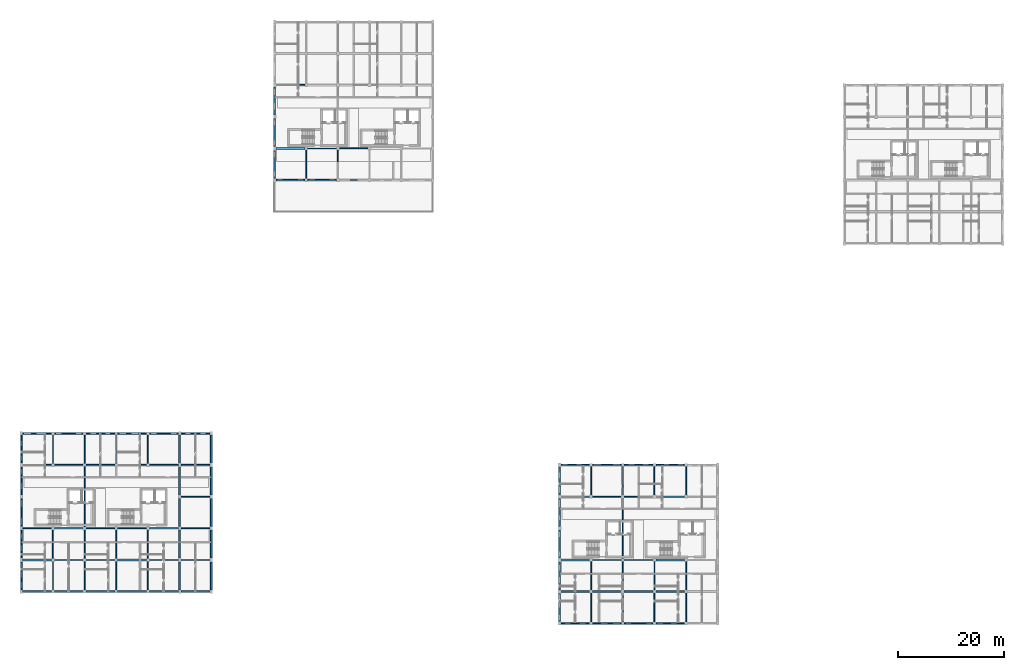
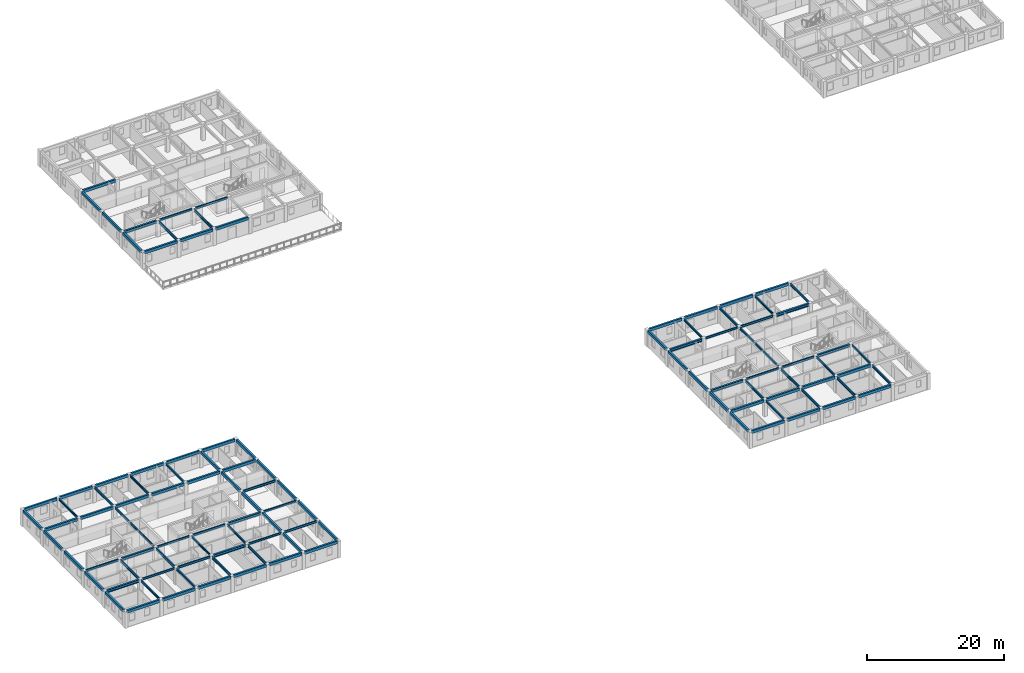
# One storey, part 3 of 28: 109 beams.
"""IFC4 building model written with IfcOpenShell, lengths in metres."""

from ifc_helpers import new_model, si_unit, direction, frame, origin, origin_2d, place, context, subcontext, project, spatial, rectangle, i_section, extrude, material, material_profile, profile_set, type_object, element, save


model = new_model("IFC4")

# Units and contexts
model_context = context("Model", 3, precision=1e-05, world=origin(), true_north=direction((0.0, 1.0)))
body_context = subcontext(model_context, "Body", "Model", "MODEL_VIEW")
ifc_project = project(units=[si_unit("LENGTHUNIT", "METRE"), si_unit("AREAUNIT", "SQUARE_METRE"), si_unit("VOLUMEUNIT", "CUBIC_METRE"), si_unit("PLANEANGLEUNIT", "RADIAN"), si_unit("MASSUNIT", "GRAM", prefix="KILO"), si_unit("POWERUNIT", "WATT"), si_unit("THERMODYNAMICTEMPERATUREUNIT", "KELVIN")], contexts=[model_context])

# Site, building, storey
site_placement = place(None, origin())
site = spatial("IfcSite", under=ifc_project, at=site_placement, CompositionType="ELEMENT")
building_placement = place(site_placement, origin())
building = spatial("IfcBuilding", under=site, at=building_placement, Name="Ruvembo Vaulted Housing Court", CompositionType="ELEMENT")
storey_placement = place(building_placement, frame((0.0, 0.0, 23.699951171875)))
storey = spatial("IfcBuildingStorey", under=building, at=storey_placement, Name="L07", CompositionType="ELEMENT", Elevation=23.699951171875)

# Beams
ifc_material_1 = material(Name="Steel S355J2", Category="steel")
ifc_material_profile_1 = material_profile(ifc_material_1, i_section(OverallWidth=0.300048828125, OverallDepth=0.5, WebThickness=0.014404296875, FlangeThickness=0.028076171875, FilletRadius=0.027099609375, at=origin_2d()), Name="HEB 320")
ifc_profile_set_1 = profile_set([ifc_material_profile_1], Name="Steel S355J2")
beam_type_1 = type_object("IfcBeamType", Name="BM-ST-HEB320", PredefinedType="BEAM", material=ifc_profile_set_1)
beam_1_placement = place(storey_placement, frame((0.235107421875, 12.0, 2.676025390625), z_axis=(1.0, 0.0, 0.0), x_axis=(0.0, 1.0, 0.0)))
element("IfcBeam", 1, at=beam_1_placement, inside=storey, type_object=beam_type_1, Name="L07 Grid Beam X #2792", PredefinedType="BEAM", context=body_context, shape_type="SweptSolid", body=[
    extrude(i_section(OverallWidth=0.300048828125, OverallDepth=0.5, WebThickness=0.014404296875, FlangeThickness=0.028076171875, FilletRadius=0.027099609375, at=origin_2d()), origin(), (0.0, 0.0, 1.0), 5.5048828125),
])
beam_2_placement = place(storey_placement, frame((18.260009765625, 12.0, 2.676025390625), z_axis=(1.0, 0.0, 0.0), x_axis=(0.0, 1.0, 0.0)))
element("IfcBeam", 2, at=beam_2_placement, inside=storey, type_object=beam_type_1, Name="L07 Grid Beam X #2795", PredefinedType="BEAM", context=body_context, shape_type="SweptSolid", body=[
    extrude(i_section(OverallWidth=0.300048828125, OverallDepth=0.5, WebThickness=0.014404296875, FlangeThickness=0.028076171875, FilletRadius=0.027099609375, at=origin_2d()), origin(), (0.0, 0.0, 1.0), 5.47998046875),
])
beam_3_placement = place(storey_placement, frame((102.235107421875, 12.0, 2.676025390625), z_axis=(1.0, 0.0, 0.0), x_axis=(0.0, 1.0, 0.0)))
element("IfcBeam", 3, at=beam_3_placement, inside=storey, type_object=beam_type_1, Name="L07 Grid Beam X #2798", PredefinedType="BEAM", context=body_context, shape_type="SweptSolid", body=[
    extrude(i_section(OverallWidth=0.300048828125, OverallDepth=0.5, WebThickness=0.014404296875, FlangeThickness=0.028076171875, FilletRadius=0.027099609375, at=origin_2d()), origin(), (0.0, 0.0, 1.0), 5.5048828125),
])
for number, where, z_axis, x_axis, name in (
    (4, (120.260009765625, 12.0, 2.676025390625), (1.0, 0.0, 0.0), (0.0, 1.0, 0.0), "L07 Grid Beam X #2801"),
    (5, (6.260009765625, 18.0, 2.676025390625), (1.0, 0.0, 0.0), (0.0, 1.0, 0.0), "L07 Grid Beam X #2804"),
):
    element("IfcBeam", number, at=place(storey_placement, frame(where, z_axis=z_axis, x_axis=x_axis)), inside=storey, type_object=beam_type_1, Name=name, PredefinedType="BEAM", context=body_context, shape_type="SweptSolid", body=[
        extrude(i_section(OverallWidth=0.300048828125, OverallDepth=0.5, WebThickness=0.014404296875, FlangeThickness=0.028076171875, FilletRadius=0.027099609375, at=origin_2d()), origin(), (0.0, 0.0, 1.0), 5.47998046875),
    ])
for number, where, z_axis, x_axis, name in (
    (6, (24.260009765625, 18.0, 2.676025390625), (1.0, 0.0, 0.0), (0.0, 1.0, 0.0), "L07 Grid Beam X #2807"),
    (7, (102.235107421875, 24.0, 2.676025390625), (1.0, 0.0, 0.0), (0.0, 1.0, 0.0), "L07 Grid Beam X #2810"),
):
    element("IfcBeam", number, at=place(storey_placement, frame(where, z_axis=z_axis, x_axis=x_axis)), inside=storey, type_object=beam_type_1, Name=name, PredefinedType="BEAM", context=body_context, shape_type="SweptSolid", body=[
        extrude(i_section(OverallWidth=0.300048828125, OverallDepth=0.5, WebThickness=0.014404296875, FlangeThickness=0.028076171875, FilletRadius=0.027099609375, at=origin_2d()), origin(), (0.0, 0.0, 1.0), 5.5048828125),
    ])
beam_4_placement = place(storey_placement, frame((120.260009765625, 24.0, 2.676025390625), z_axis=(1.0, 0.0, 0.0), x_axis=(0.0, 1.0, 0.0)))
element("IfcBeam", 8, at=beam_4_placement, inside=storey, type_object=beam_type_1, Name="L07 Grid Beam X #2813", PredefinedType="BEAM", context=body_context, shape_type="SweptSolid", body=[
    extrude(i_section(OverallWidth=0.300048828125, OverallDepth=0.5, WebThickness=0.014404296875, FlangeThickness=0.028076171875, FilletRadius=0.027099609375, at=origin_2d()), origin(), (0.0, 0.0, 1.0), 5.47998046875),
])
beam_5_placement = place(storey_placement, frame((48.235107421875, 90.0, 2.676025390625), z_axis=(1.0, 0.0, 0.0), x_axis=(0.0, 1.0, 0.0)))
element("IfcBeam", 9, at=beam_5_placement, inside=storey, type_object=beam_type_1, Name="L07 Grid Beam X #2852", PredefinedType="BEAM", context=body_context, shape_type="SweptSolid", body=[
    extrude(i_section(OverallWidth=0.300048828125, OverallDepth=0.5, WebThickness=0.014404296875, FlangeThickness=0.028076171875, FilletRadius=0.027099609375, at=origin_2d()), origin(), (0.0, 0.0, 1.0), 5.5048828125),
])
ifc_material_profile_2 = material_profile(ifc_material_1, i_section(OverallWidth=0.169921875, OverallDepth=0.360107421875, WebThickness=0.008056640625, FlangeThickness=0.0126953125, FilletRadius=0.01806640625, at=origin_2d()), Name="IPE 360")
ifc_profile_set_2 = profile_set([ifc_material_profile_2], Name="Steel S355J2")
beam_type_2 = type_object("IfcBeamType", Name="BM-ST-IPE360", PredefinedType="BEAM", material=ifc_profile_set_2)
beam_6_placement = place(storey_placement, frame((6.260009765625, 12.0, 2.74609375), z_axis=(1.0, 0.0, 0.0), x_axis=(0.0, 1.0, 0.0)))
element("IfcBeam", 10, at=beam_6_placement, inside=storey, type_object=beam_type_2, Name="L07 Grid Beam X #2793", PredefinedType="BEAM", context=body_context, shape_type="SweptSolid", body=[
    extrude(i_section(OverallWidth=0.169921875, OverallDepth=0.360107421875, WebThickness=0.008056640625, FlangeThickness=0.0126953125, FilletRadius=0.01806640625, at=origin_2d()), origin(), (0.0, 0.0, 1.0), 5.47998046875),
])
beam_7_placement = place(storey_placement, frame((24.260009765625, 12.0, 2.74609375), z_axis=(1.0, 0.0, 0.0), x_axis=(0.0, 1.0, 0.0)))
element("IfcBeam", 11, at=beam_7_placement, inside=storey, type_object=beam_type_2, Name="L07 Grid Beam X #2796", PredefinedType="BEAM", context=body_context, shape_type="SweptSolid", body=[
    extrude(i_section(OverallWidth=0.169921875, OverallDepth=0.360107421875, WebThickness=0.008056640625, FlangeThickness=0.0126953125, FilletRadius=0.01806640625, at=origin_2d()), origin(), (0.0, 0.0, 1.0), 5.5048828125),
])
for number, where, z_axis, x_axis, name in (
    (12, (108.260009765625, 12.0, 2.74609375), (1.0, 0.0, 0.0), (0.0, 1.0, 0.0), "L07 Grid Beam X #2799"),
    (13, (12.260009765625, 18.0, 2.74609375), (1.0, 0.0, 0.0), (0.0, 1.0, 0.0), "L07 Grid Beam X #2805"),
):
    element("IfcBeam", number, at=place(storey_placement, frame(where, z_axis=z_axis, x_axis=x_axis)), inside=storey, type_object=beam_type_2, Name=name, PredefinedType="BEAM", context=body_context, shape_type="SweptSolid", body=[
        extrude(i_section(OverallWidth=0.169921875, OverallDepth=0.360107421875, WebThickness=0.008056640625, FlangeThickness=0.0126953125, FilletRadius=0.01806640625, at=origin_2d()), origin(), (0.0, 0.0, 1.0), 5.47998046875),
    ])
beam_8_placement = place(storey_placement, frame((30.235107421875, 18.0, 2.74609375), z_axis=(1.0, 0.0, 0.0), x_axis=(0.0, 1.0, 0.0)))
element("IfcBeam", 14, at=beam_8_placement, inside=storey, type_object=beam_type_2, Name="L07 Grid Beam X #2808", PredefinedType="BEAM", context=body_context, shape_type="SweptSolid", body=[
    extrude(i_section(OverallWidth=0.169921875, OverallDepth=0.360107421875, WebThickness=0.008056640625, FlangeThickness=0.0126953125, FilletRadius=0.01806640625, at=origin_2d()), origin(), (0.0, 0.0, 1.0), 5.52978515625),
])
for number, where, z_axis, x_axis, name in (
    (15, (108.260009765625, 24.0, 2.74609375), (1.0, 0.0, 0.0), (0.0, 1.0, 0.0), "L07 Grid Beam X #2811"),
    (16, (54.260009765625, 90.0, 2.74609375), (1.0, 0.0, 0.0), (0.0, 1.0, 0.0), "L07 Grid Beam X #2853"),
    (17, (6.0, 30.260009765625, 2.74609375), (0.0, 1.0, 0.0), (-1.0, 0.0, 0.0), "L07 Grid Beam Y #2889"),
    (18, (18.0, 12.260009765625, 2.74609375), (0.0, 1.0, 0.0), (-1.0, 0.0, 0.0), "L07 Grid Beam Y #2895"),
    (19, (24.0, 12.260009765625, 2.74609375), (0.0, 1.0, 0.0), (-1.0, 0.0, 0.0), "L07 Grid Beam Y #2898"),
    (20, (108.0, 24.260009765625, 2.74609375), (0.0, 1.0, 0.0), (-1.0, 0.0, 0.0), "L07 Grid Beam Y #2940"),
    (21, (120.0, 6.260009765625, 2.74609375), (0.0, 1.0, 0.0), (-1.0, 0.0, 0.0), "L07 Grid Beam Y #2946"),
    (22, (126.0, 6.260009765625, 2.74609375), (0.0, 1.0, 0.0), (-1.0, 0.0, 0.0), "L07 Grid Beam Y #2949"),
):
    element("IfcBeam", number, at=place(storey_placement, frame(where, z_axis=z_axis, x_axis=x_axis)), inside=storey, type_object=beam_type_2, Name=name, PredefinedType="BEAM", context=body_context, shape_type="SweptSolid", body=[
        extrude(i_section(OverallWidth=0.169921875, OverallDepth=0.360107421875, WebThickness=0.008056640625, FlangeThickness=0.0126953125, FilletRadius=0.01806640625, at=origin_2d()), origin(), (0.0, 0.0, 1.0), 5.47998046875),
    ])
ifc_material_profile_3 = material_profile(ifc_material_1, i_section(OverallWidth=0.179931640625, OverallDepth=0.39990234375, WebThickness=0.008544921875, FlangeThickness=0.013427734375, FilletRadius=0.02099609375, at=origin_2d()), Name="IPE 400")
ifc_profile_set_3 = profile_set([ifc_material_profile_3], Name="Steel S355J2")
beam_type_3 = type_object("IfcBeamType", Name="BM-ST-IPE400", PredefinedType="BEAM", material=ifc_profile_set_3)
beam_9_placement = place(storey_placement, frame((12.260009765625, 12.0, 2.72607421875), z_axis=(1.0, 0.0, 0.0), x_axis=(0.0, 1.0, 0.0)))
element("IfcBeam", 23, at=beam_9_placement, inside=storey, type_object=beam_type_3, Name="L07 Grid Beam X #2794", PredefinedType="BEAM", context=body_context, shape_type="SweptSolid", body=[
    extrude(i_section(OverallWidth=0.179931640625, OverallDepth=0.39990234375, WebThickness=0.008544921875, FlangeThickness=0.013427734375, FilletRadius=0.02099609375, at=origin_2d()), origin(), (0.0, 0.0, 1.0), 5.47998046875),
])
beam_10_placement = place(storey_placement, frame((30.235107421875, 12.0, 2.72607421875), z_axis=(1.0, 0.0, 0.0), x_axis=(0.0, 1.0, 0.0)))
element("IfcBeam", 24, at=beam_10_placement, inside=storey, type_object=beam_type_3, Name="L07 Grid Beam X #2797", PredefinedType="BEAM", context=body_context, shape_type="SweptSolid", body=[
    extrude(i_section(OverallWidth=0.179931640625, OverallDepth=0.39990234375, WebThickness=0.008544921875, FlangeThickness=0.013427734375, FilletRadius=0.02099609375, at=origin_2d()), origin(), (0.0, 0.0, 1.0), 5.52978515625),
])
beam_11_placement = place(storey_placement, frame((114.260009765625, 12.0, 2.72607421875), z_axis=(1.0, 0.0, 0.0), x_axis=(0.0, 1.0, 0.0)))
element("IfcBeam", 25, at=beam_11_placement, inside=storey, type_object=beam_type_3, Name="L07 Grid Beam X #2800", PredefinedType="BEAM", context=body_context, shape_type="SweptSolid", body=[
    extrude(i_section(OverallWidth=0.179931640625, OverallDepth=0.39990234375, WebThickness=0.008544921875, FlangeThickness=0.013427734375, FilletRadius=0.02099609375, at=origin_2d()), origin(), (0.0, 0.0, 1.0), 5.47998046875),
])
beam_12_placement = place(storey_placement, frame((0.235107421875, 18.0, 2.72607421875), z_axis=(1.0, 0.0, 0.0), x_axis=(0.0, 1.0, 0.0)))
element("IfcBeam", 26, at=beam_12_placement, inside=storey, type_object=beam_type_3, Name="L07 Grid Beam X #2803", PredefinedType="BEAM", context=body_context, shape_type="SweptSolid", body=[
    extrude(i_section(OverallWidth=0.179931640625, OverallDepth=0.39990234375, WebThickness=0.008544921875, FlangeThickness=0.013427734375, FilletRadius=0.02099609375, at=origin_2d()), origin(), (0.0, 0.0, 1.0), 5.5048828125),
])
beam_13_placement = place(storey_placement, frame((18.260009765625, 18.0, 2.72607421875), z_axis=(1.0, 0.0, 0.0), x_axis=(0.0, 1.0, 0.0)))
element("IfcBeam", 27, at=beam_13_placement, inside=storey, type_object=beam_type_3, Name="L07 Grid Beam X #2806", PredefinedType="BEAM", context=body_context, shape_type="SweptSolid", body=[
    extrude(i_section(OverallWidth=0.179931640625, OverallDepth=0.39990234375, WebThickness=0.008544921875, FlangeThickness=0.013427734375, FilletRadius=0.02099609375, at=origin_2d()), origin(), (0.0, 0.0, 1.0), 5.47998046875),
])
beam_14_placement = place(storey_placement, frame((30.235107421875, 24.0, 2.72607421875), z_axis=(1.0, 0.0, 0.0), x_axis=(0.0, 1.0, 0.0)))
element("IfcBeam", 28, at=beam_14_placement, inside=storey, type_object=beam_type_3, Name="L07 Grid Beam X #2809", PredefinedType="BEAM", context=body_context, shape_type="SweptSolid", body=[
    extrude(i_section(OverallWidth=0.179931640625, OverallDepth=0.39990234375, WebThickness=0.008544921875, FlangeThickness=0.013427734375, FilletRadius=0.02099609375, at=origin_2d()), origin(), (0.0, 0.0, 1.0), 5.52978515625),
])
for number, where, z_axis, x_axis, name in (
    (29, (114.260009765625, 24.0, 2.72607421875), (1.0, 0.0, 0.0), (0.0, 1.0, 0.0), "L07 Grid Beam X #2812"),
    (30, (60.260009765625, 90.0, 2.72607421875), (1.0, 0.0, 0.0), (0.0, 1.0, 0.0), "L07 Grid Beam X #2854"),
    (31, (6.0, 6.260009765625, 2.72607421875), (0.0, 1.0, 0.0), (-1.0, 0.0, 0.0), "L07 Grid Beam Y #2887"),
    (32, (12.0, 6.260009765625, 2.72607421875), (0.0, 1.0, 0.0), (-1.0, 0.0, 0.0), "L07 Grid Beam Y #2890"),
):
    element("IfcBeam", number, at=place(storey_placement, frame(where, z_axis=z_axis, x_axis=x_axis)), inside=storey, type_object=beam_type_3, Name=name, PredefinedType="BEAM", context=body_context, shape_type="SweptSolid", body=[
        extrude(i_section(OverallWidth=0.179931640625, OverallDepth=0.39990234375, WebThickness=0.008544921875, FlangeThickness=0.013427734375, FilletRadius=0.02099609375, at=origin_2d()), origin(), (0.0, 0.0, 1.0), 5.47998046875),
    ])
beam_15_placement = place(storey_placement, frame((12.0, 18.260009765625, 2.72607421875), z_axis=(0.0, 1.0, 0.0), x_axis=(-1.0, 0.0, 0.0)))
element("IfcBeam", 33, at=beam_15_placement, inside=storey, type_object=beam_type_3, Name="L07 Grid Beam Y #2892", PredefinedType="BEAM", context=body_context, shape_type="SweptSolid", body=[
    extrude(i_section(OverallWidth=0.179931640625, OverallDepth=0.39990234375, WebThickness=0.008544921875, FlangeThickness=0.013427734375, FilletRadius=0.02099609375, at=origin_2d()), origin(), (0.0, 0.0, 1.0), 11.47998046875),
])
for number, where, z_axis, x_axis, name in (
    (34, (12.0, 30.260009765625, 2.72607421875), (0.0, 1.0, 0.0), (-1.0, 0.0, 0.0), "L07 Grid Beam Y #2893"),
    (35, (18.0, 30.260009765625, 2.72607421875), (0.0, 1.0, 0.0), (-1.0, 0.0, 0.0), "L07 Grid Beam Y #2896"),
    (36, (24.0, 30.260009765625, 2.72607421875), (0.0, 1.0, 0.0), (-1.0, 0.0, 0.0), "L07 Grid Beam Y #2899"),
    (37, (108.0, 0.260009765625, 2.72607421875), (0.0, 1.0, 0.0), (-1.0, 0.0, 0.0), "L07 Grid Beam Y #2938"),
    (38, (114.0, 0.260009765625, 2.72607421875), (0.0, 1.0, 0.0), (-1.0, 0.0, 0.0), "L07 Grid Beam Y #2941"),
):
    element("IfcBeam", number, at=place(storey_placement, frame(where, z_axis=z_axis, x_axis=x_axis)), inside=storey, type_object=beam_type_3, Name=name, PredefinedType="BEAM", context=body_context, shape_type="SweptSolid", body=[
        extrude(i_section(OverallWidth=0.179931640625, OverallDepth=0.39990234375, WebThickness=0.008544921875, FlangeThickness=0.013427734375, FilletRadius=0.02099609375, at=origin_2d()), origin(), (0.0, 0.0, 1.0), 5.47998046875),
    ])
beam_16_placement = place(storey_placement, frame((114.0, 12.260009765625, 2.72607421875), z_axis=(0.0, 1.0, 0.0), x_axis=(-1.0, 0.0, 0.0)))
element("IfcBeam", 39, at=beam_16_placement, inside=storey, type_object=beam_type_3, Name="L07 Grid Beam Y #2943", PredefinedType="BEAM", context=body_context, shape_type="SweptSolid", body=[
    extrude(i_section(OverallWidth=0.179931640625, OverallDepth=0.39990234375, WebThickness=0.008544921875, FlangeThickness=0.013427734375, FilletRadius=0.02099609375, at=origin_2d()), origin(), (0.0, 0.0, 1.0), 11.47998046875),
])
for number, where, z_axis, x_axis, name in (
    (40, (114.0, 24.260009765625, 2.72607421875), (0.0, 1.0, 0.0), (-1.0, 0.0, 0.0), "L07 Grid Beam Y #2944"),
    (41, (120.0, 24.260009765625, 2.72607421875), (0.0, 1.0, 0.0), (-1.0, 0.0, 0.0), "L07 Grid Beam Y #2947"),
    (42, (126.0, 24.260009765625, 2.72607421875), (0.0, 1.0, 0.0), (-1.0, 0.0, 0.0), "L07 Grid Beam Y #2950"),
):
    element("IfcBeam", number, at=place(storey_placement, frame(where, z_axis=z_axis, x_axis=x_axis)), inside=storey, type_object=beam_type_3, Name=name, PredefinedType="BEAM", context=body_context, shape_type="SweptSolid", body=[
        extrude(i_section(OverallWidth=0.179931640625, OverallDepth=0.39990234375, WebThickness=0.008544921875, FlangeThickness=0.013427734375, FilletRadius=0.02099609375, at=origin_2d()), origin(), (0.0, 0.0, 1.0), 5.47998046875),
    ])
ifc_material_profile_4 = material_profile(ifc_material_1, i_section(OverallWidth=0.18994140625, OverallDepth=0.449951171875, WebThickness=0.009521484375, FlangeThickness=0.0146484375, FilletRadius=0.02099609375, at=origin_2d()), Name="IPE 450")
ifc_profile_set_4 = profile_set([ifc_material_profile_4], Name="Steel S355J2")
beam_type_4 = type_object("IfcBeamType", Name="BM-ST-IPE450", PredefinedType="BEAM", material=ifc_profile_set_4)
for number, where, z_axis, x_axis, name in (
    (43, (6.0, 12.260009765625, 2.700927734375), (0.0, 1.0, 0.0), (-1.0, 0.0, 0.0), "L07 Grid Beam Y #2888"),
    (44, (12.0, 12.260009765625, 2.700927734375), (0.0, 1.0, 0.0), (-1.0, 0.0, 0.0), "L07 Grid Beam Y #2891"),
    (45, (18.0, 6.260009765625, 2.700927734375), (0.0, 1.0, 0.0), (-1.0, 0.0, 0.0), "L07 Grid Beam Y #2894"),
    (46, (24.0, 6.260009765625, 2.700927734375), (0.0, 1.0, 0.0), (-1.0, 0.0, 0.0), "L07 Grid Beam Y #2897"),
    (47, (54.0, 84.260009765625, 2.700927734375), (0.0, 1.0, 0.0), (-1.0, 0.0, 0.0), "L07 Grid Beam Y #2915"),
    (48, (60.0, 84.260009765625, 2.700927734375), (0.0, 1.0, 0.0), (-1.0, 0.0, 0.0), "L07 Grid Beam Y #2918"),
    (49, (108.0, 6.260009765625, 2.700927734375), (0.0, 1.0, 0.0), (-1.0, 0.0, 0.0), "L07 Grid Beam Y #2939"),
    (50, (114.0, 6.260009765625, 2.700927734375), (0.0, 1.0, 0.0), (-1.0, 0.0, 0.0), "L07 Grid Beam Y #2942"),
    (51, (120.0, 0.260009765625, 2.700927734375), (0.0, 1.0, 0.0), (-1.0, 0.0, 0.0), "L07 Grid Beam Y #2945"),
    (52, (126.0, 0.260009765625, 2.700927734375), (0.0, 1.0, 0.0), (-1.0, 0.0, 0.0), "L07 Grid Beam Y #2948"),
):
    element("IfcBeam", number, at=place(storey_placement, frame(where, z_axis=z_axis, x_axis=x_axis)), inside=storey, type_object=beam_type_4, Name=name, PredefinedType="BEAM", context=body_context, shape_type="SweptSolid", body=[
        extrude(i_section(OverallWidth=0.18994140625, OverallDepth=0.449951171875, WebThickness=0.009521484375, FlangeThickness=0.0146484375, FilletRadius=0.02099609375, at=origin_2d()), origin(), (0.0, 0.0, 1.0), 5.47998046875),
    ])
ifc_material_2 = material(Name="Concrete C35/45", Category="concrete")
ifc_material_profile_5 = material_profile(ifc_material_2, rectangle(XDim=0.300048828125, YDim=0.5, at=origin_2d()), Name="RC 300x500")
ifc_profile_set_5 = profile_set([ifc_material_profile_5], Name="Concrete C35/45")
beam_type_5 = type_object("IfcBeamType", Name="SP-RC-300x500", PredefinedType="SPANDREL", material=ifc_profile_set_5)
beam_17_placement = place(storey_placement, frame((102.235107421875, 0.0, 2.72509765625), z_axis=(1.0, 0.0, 0.0), x_axis=(0.0, 1.0, 0.0)))
element("IfcBeam", 53, at=beam_17_placement, inside=storey, type_object=beam_type_5, Name="L07 Grid Beam X #2776", PredefinedType="SPANDREL", context=body_context, shape_type="SweptSolid", body=[
    extrude(rectangle(XDim=0.300048828125, YDim=0.5, at=origin_2d()), origin(), (0.0, 0.0, 1.0), 5.5048828125),
])
for number, where, z_axis, x_axis, name in (
    (54, (108.260009765625, 0.0, 2.72509765625), (1.0, 0.0, 0.0), (0.0, 1.0, 0.0), "L07 Grid Beam X #2777"),
    (55, (114.260009765625, 0.0, 2.72509765625), (1.0, 0.0, 0.0), (0.0, 1.0, 0.0), "L07 Grid Beam X #2778"),
    (56, (120.260009765625, 0.0, 2.72509765625), (1.0, 0.0, 0.0), (0.0, 1.0, 0.0), "L07 Grid Beam X #2779"),
):
    element("IfcBeam", number, at=place(storey_placement, frame(where, z_axis=z_axis, x_axis=x_axis)), inside=storey, type_object=beam_type_5, Name=name, PredefinedType="SPANDREL", context=body_context, shape_type="SweptSolid", body=[
        extrude(rectangle(XDim=0.300048828125, YDim=0.5, at=origin_2d()), origin(), (0.0, 0.0, 1.0), 5.47998046875),
    ])
beam_18_placement = place(storey_placement, frame((0.235107421875, 6.0, 2.72509765625), z_axis=(1.0, 0.0, 0.0), x_axis=(0.0, 1.0, 0.0)))
element("IfcBeam", 57, at=beam_18_placement, inside=storey, type_object=beam_type_5, Name="L07 Grid Beam X #2781", PredefinedType="SPANDREL", context=body_context, shape_type="SweptSolid", body=[
    extrude(rectangle(XDim=0.300048828125, YDim=0.5, at=origin_2d()), origin(), (0.0, 0.0, 1.0), 5.5048828125),
])
for number, where, z_axis, x_axis, name in (
    (58, (6.260009765625, 6.0, 2.72509765625), (1.0, 0.0, 0.0), (0.0, 1.0, 0.0), "L07 Grid Beam X #2782"),
    (59, (12.260009765625, 6.0, 2.72509765625), (1.0, 0.0, 0.0), (0.0, 1.0, 0.0), "L07 Grid Beam X #2783"),
    (60, (18.260009765625, 6.0, 2.72509765625), (1.0, 0.0, 0.0), (0.0, 1.0, 0.0), "L07 Grid Beam X #2784"),
):
    element("IfcBeam", number, at=place(storey_placement, frame(where, z_axis=z_axis, x_axis=x_axis)), inside=storey, type_object=beam_type_5, Name=name, PredefinedType="SPANDREL", context=body_context, shape_type="SweptSolid", body=[
        extrude(rectangle(XDim=0.300048828125, YDim=0.5, at=origin_2d()), origin(), (0.0, 0.0, 1.0), 5.47998046875),
    ])
beam_19_placement = place(storey_placement, frame((24.260009765625, 6.0, 2.72509765625), z_axis=(1.0, 0.0, 0.0), x_axis=(0.0, 1.0, 0.0)))
element("IfcBeam", 61, at=beam_19_placement, inside=storey, type_object=beam_type_5, Name="L07 Grid Beam X #2785", PredefinedType="SPANDREL", context=body_context, shape_type="SweptSolid", body=[
    extrude(rectangle(XDim=0.300048828125, YDim=0.5, at=origin_2d()), origin(), (0.0, 0.0, 1.0), 5.5048828125),
])
beam_20_placement = place(storey_placement, frame((30.235107421875, 6.0, 2.72509765625), z_axis=(1.0, 0.0, 0.0), x_axis=(0.0, 1.0, 0.0)))
element("IfcBeam", 62, at=beam_20_placement, inside=storey, type_object=beam_type_5, Name="L07 Grid Beam X #2786", PredefinedType="SPANDREL", context=body_context, shape_type="SweptSolid", body=[
    extrude(rectangle(XDim=0.300048828125, YDim=0.5, at=origin_2d()), origin(), (0.0, 0.0, 1.0), 5.52978515625),
])
beam_21_placement = place(storey_placement, frame((102.235107421875, 6.0, 2.72509765625), z_axis=(1.0, 0.0, 0.0), x_axis=(0.0, 1.0, 0.0)))
element("IfcBeam", 63, at=beam_21_placement, inside=storey, type_object=beam_type_5, Name="L07 Grid Beam X #2787", PredefinedType="SPANDREL", context=body_context, shape_type="SweptSolid", body=[
    extrude(rectangle(XDim=0.300048828125, YDim=0.5, at=origin_2d()), origin(), (0.0, 0.0, 1.0), 5.5048828125),
])
for number, where, z_axis, x_axis, name in (
    (64, (108.260009765625, 6.0, 2.72509765625), (1.0, 0.0, 0.0), (0.0, 1.0, 0.0), "L07 Grid Beam X #2788"),
    (65, (114.260009765625, 6.0, 2.72509765625), (1.0, 0.0, 0.0), (0.0, 1.0, 0.0), "L07 Grid Beam X #2789"),
    (66, (120.260009765625, 6.0, 2.72509765625), (1.0, 0.0, 0.0), (0.0, 1.0, 0.0), "L07 Grid Beam X #2790"),
):
    element("IfcBeam", number, at=place(storey_placement, frame(where, z_axis=z_axis, x_axis=x_axis)), inside=storey, type_object=beam_type_5, Name=name, PredefinedType="SPANDREL", context=body_context, shape_type="SweptSolid", body=[
        extrude(rectangle(XDim=0.300048828125, YDim=0.5, at=origin_2d()), origin(), (0.0, 0.0, 1.0), 5.47998046875),
    ])
beam_22_placement = place(storey_placement, frame((0.235107421875, 30.0, 2.72509765625), z_axis=(1.0, 0.0, 0.0), x_axis=(0.0, 1.0, 0.0)))
element("IfcBeam", 67, at=beam_22_placement, inside=storey, type_object=beam_type_5, Name="L07 Grid Beam X #2815", PredefinedType="SPANDREL", context=body_context, shape_type="SweptSolid", body=[
    extrude(rectangle(XDim=0.300048828125, YDim=0.5, at=origin_2d()), origin(), (0.0, 0.0, 1.0), 5.5048828125),
])
for number, where, z_axis, x_axis, name in (
    (68, (6.260009765625, 30.0, 2.72509765625), (1.0, 0.0, 0.0), (0.0, 1.0, 0.0), "L07 Grid Beam X #2816"),
    (69, (12.260009765625, 30.0, 2.72509765625), (1.0, 0.0, 0.0), (0.0, 1.0, 0.0), "L07 Grid Beam X #2817"),
    (70, (18.260009765625, 30.0, 2.72509765625), (1.0, 0.0, 0.0), (0.0, 1.0, 0.0), "L07 Grid Beam X #2818"),
):
    element("IfcBeam", number, at=place(storey_placement, frame(where, z_axis=z_axis, x_axis=x_axis)), inside=storey, type_object=beam_type_5, Name=name, PredefinedType="SPANDREL", context=body_context, shape_type="SweptSolid", body=[
        extrude(rectangle(XDim=0.300048828125, YDim=0.5, at=origin_2d()), origin(), (0.0, 0.0, 1.0), 5.47998046875),
    ])
beam_23_placement = place(storey_placement, frame((24.260009765625, 30.0, 2.72509765625), z_axis=(1.0, 0.0, 0.0), x_axis=(0.0, 1.0, 0.0)))
element("IfcBeam", 71, at=beam_23_placement, inside=storey, type_object=beam_type_5, Name="L07 Grid Beam X #2819", PredefinedType="SPANDREL", context=body_context, shape_type="SweptSolid", body=[
    extrude(rectangle(XDim=0.300048828125, YDim=0.5, at=origin_2d()), origin(), (0.0, 0.0, 1.0), 5.5048828125),
])
beam_24_placement = place(storey_placement, frame((30.235107421875, 30.0, 2.72509765625), z_axis=(1.0, 0.0, 0.0), x_axis=(0.0, 1.0, 0.0)))
element("IfcBeam", 72, at=beam_24_placement, inside=storey, type_object=beam_type_5, Name="L07 Grid Beam X #2820", PredefinedType="SPANDREL", context=body_context, shape_type="SweptSolid", body=[
    extrude(rectangle(XDim=0.300048828125, YDim=0.5, at=origin_2d()), origin(), (0.0, 0.0, 1.0), 5.52978515625),
])
beam_25_placement = place(storey_placement, frame((102.235107421875, 30.0, 2.72509765625), z_axis=(1.0, 0.0, 0.0), x_axis=(0.0, 1.0, 0.0)))
element("IfcBeam", 73, at=beam_25_placement, inside=storey, type_object=beam_type_5, Name="L07 Grid Beam X #2821", PredefinedType="SPANDREL", context=body_context, shape_type="SweptSolid", body=[
    extrude(rectangle(XDim=0.300048828125, YDim=0.5, at=origin_2d()), origin(), (0.0, 0.0, 1.0), 5.5048828125),
])
for number, where, z_axis, x_axis, name in (
    (74, (108.260009765625, 30.0, 2.72509765625), (1.0, 0.0, 0.0), (0.0, 1.0, 0.0), "L07 Grid Beam X #2822"),
    (75, (114.260009765625, 30.0, 2.72509765625), (1.0, 0.0, 0.0), (0.0, 1.0, 0.0), "L07 Grid Beam X #2823"),
    (76, (120.260009765625, 30.0, 2.72509765625), (1.0, 0.0, 0.0), (0.0, 1.0, 0.0), "L07 Grid Beam X #2824"),
):
    element("IfcBeam", number, at=place(storey_placement, frame(where, z_axis=z_axis, x_axis=x_axis)), inside=storey, type_object=beam_type_5, Name=name, PredefinedType="SPANDREL", context=body_context, shape_type="SweptSolid", body=[
        extrude(rectangle(XDim=0.300048828125, YDim=0.5, at=origin_2d()), origin(), (0.0, 0.0, 1.0), 5.47998046875),
    ])
beam_26_placement = place(storey_placement, frame((0.235107421875, 36.0, 2.72509765625), z_axis=(1.0, 0.0, 0.0), x_axis=(0.0, 1.0, 0.0)))
element("IfcBeam", 77, at=beam_26_placement, inside=storey, type_object=beam_type_5, Name="L07 Grid Beam X #2826", PredefinedType="SPANDREL", context=body_context, shape_type="SweptSolid", body=[
    extrude(rectangle(XDim=0.300048828125, YDim=0.5, at=origin_2d()), origin(), (0.0, 0.0, 1.0), 5.5048828125),
])
for number, where, z_axis, x_axis, name in (
    (78, (6.260009765625, 36.0, 2.72509765625), (1.0, 0.0, 0.0), (0.0, 1.0, 0.0), "L07 Grid Beam X #2827"),
    (79, (12.260009765625, 36.0, 2.72509765625), (1.0, 0.0, 0.0), (0.0, 1.0, 0.0), "L07 Grid Beam X #2828"),
    (80, (18.260009765625, 36.0, 2.72509765625), (1.0, 0.0, 0.0), (0.0, 1.0, 0.0), "L07 Grid Beam X #2829"),
):
    element("IfcBeam", number, at=place(storey_placement, frame(where, z_axis=z_axis, x_axis=x_axis)), inside=storey, type_object=beam_type_5, Name=name, PredefinedType="SPANDREL", context=body_context, shape_type="SweptSolid", body=[
        extrude(rectangle(XDim=0.300048828125, YDim=0.5, at=origin_2d()), origin(), (0.0, 0.0, 1.0), 5.47998046875),
    ])
beam_27_placement = place(storey_placement, frame((24.260009765625, 36.0, 2.72509765625), z_axis=(1.0, 0.0, 0.0), x_axis=(0.0, 1.0, 0.0)))
element("IfcBeam", 81, at=beam_27_placement, inside=storey, type_object=beam_type_5, Name="L07 Grid Beam X #2830", PredefinedType="SPANDREL", context=body_context, shape_type="SweptSolid", body=[
    extrude(rectangle(XDim=0.300048828125, YDim=0.5, at=origin_2d()), origin(), (0.0, 0.0, 1.0), 5.5048828125),
])
beam_28_placement = place(storey_placement, frame((30.235107421875, 36.0, 2.72509765625), z_axis=(1.0, 0.0, 0.0), x_axis=(0.0, 1.0, 0.0)))
element("IfcBeam", 82, at=beam_28_placement, inside=storey, type_object=beam_type_5, Name="L07 Grid Beam X #2831", PredefinedType="SPANDREL", context=body_context, shape_type="SweptSolid", body=[
    extrude(rectangle(XDim=0.300048828125, YDim=0.5, at=origin_2d()), origin(), (0.0, 0.0, 1.0), 5.52978515625),
])
beam_29_placement = place(storey_placement, frame((48.235107421875, 84.0, 2.72509765625), z_axis=(1.0, 0.0, 0.0), x_axis=(0.0, 1.0, 0.0)))
element("IfcBeam", 83, at=beam_29_placement, inside=storey, type_object=beam_type_5, Name="L07 Grid Beam X #2842", PredefinedType="SPANDREL", context=body_context, shape_type="SweptSolid", body=[
    extrude(rectangle(XDim=0.300048828125, YDim=0.5, at=origin_2d()), origin(), (0.0, 0.0, 1.0), 5.5048828125),
])
for number, where, z_axis, x_axis, name in (
    (84, (54.260009765625, 84.0, 2.72509765625), (1.0, 0.0, 0.0), (0.0, 1.0, 0.0), "L07 Grid Beam X #2843"),
    (85, (60.260009765625, 84.0, 2.72509765625), (1.0, 0.0, 0.0), (0.0, 1.0, 0.0), "L07 Grid Beam X #2844"),
):
    element("IfcBeam", number, at=place(storey_placement, frame(where, z_axis=z_axis, x_axis=x_axis)), inside=storey, type_object=beam_type_5, Name=name, PredefinedType="SPANDREL", context=body_context, shape_type="SweptSolid", body=[
        extrude(rectangle(XDim=0.300048828125, YDim=0.5, at=origin_2d()), origin(), (0.0, 0.0, 1.0), 5.47998046875),
    ])
beam_30_placement = place(storey_placement, frame((48.235107421875, 102.0, 2.72509765625), z_axis=(1.0, 0.0, 0.0), x_axis=(0.0, 1.0, 0.0)))
element("IfcBeam", 86, at=beam_30_placement, inside=storey, type_object=beam_type_5, Name="L07 Grid Beam X #2862", PredefinedType="SPANDREL", context=body_context, shape_type="SweptSolid", body=[
    extrude(rectangle(XDim=0.300048828125, YDim=0.5, at=origin_2d()), origin(), (0.0, 0.0, 1.0), 5.5048828125),
])
for number, where, z_axis, x_axis, name in (
    (87, (0.0, 6.3349609375, 2.72509765625), (0.0, 1.0, 0.0), (-1.0, 0.0, 0.0), "L07 Grid Beam Y #2882"),
    (88, (0.0, 12.3349609375, 2.72509765625), (0.0, 1.0, 0.0), (-1.0, 0.0, 0.0), "L07 Grid Beam Y #2883"),
    (89, (0.0, 18.3349609375, 2.72509765625), (0.0, 1.0, 0.0), (-1.0, 0.0, 0.0), "L07 Grid Beam Y #2884"),
    (90, (0.0, 24.3349609375, 2.72509765625), (0.0, 1.0, 0.0), (-1.0, 0.0, 0.0), "L07 Grid Beam Y #2885"),
    (91, (0.0, 30.3349609375, 2.72509765625), (0.0, 1.0, 0.0), (-1.0, 0.0, 0.0), "L07 Grid Beam Y #2886"),
    (92, (30.0, 6.3349609375, 2.72509765625), (0.0, 1.0, 0.0), (-1.0, 0.0, 0.0), "L07 Grid Beam Y #2900"),
    (93, (30.0, 12.3349609375, 2.72509765625), (0.0, 1.0, 0.0), (-1.0, 0.0, 0.0), "L07 Grid Beam Y #2901"),
    (94, (30.0, 18.3349609375, 2.72509765625), (0.0, 1.0, 0.0), (-1.0, 0.0, 0.0), "L07 Grid Beam Y #2902"),
    (95, (30.0, 24.3349609375, 2.72509765625), (0.0, 1.0, 0.0), (-1.0, 0.0, 0.0), "L07 Grid Beam Y #2903"),
    (96, (30.0, 30.3349609375, 2.72509765625), (0.0, 1.0, 0.0), (-1.0, 0.0, 0.0), "L07 Grid Beam Y #2904"),
    (97, (36.0, 6.3349609375, 2.72509765625), (0.0, 1.0, 0.0), (-1.0, 0.0, 0.0), "L07 Grid Beam Y #2905"),
    (98, (36.0, 12.3349609375, 2.72509765625), (0.0, 1.0, 0.0), (-1.0, 0.0, 0.0), "L07 Grid Beam Y #2906"),
    (99, (36.0, 18.3349609375, 2.72509765625), (0.0, 1.0, 0.0), (-1.0, 0.0, 0.0), "L07 Grid Beam Y #2907"),
    (100, (36.0, 24.3349609375, 2.72509765625), (0.0, 1.0, 0.0), (-1.0, 0.0, 0.0), "L07 Grid Beam Y #2908"),
    (101, (36.0, 30.3349609375, 2.72509765625), (0.0, 1.0, 0.0), (-1.0, 0.0, 0.0), "L07 Grid Beam Y #2909"),
    (102, (48.0, 84.3349609375, 2.72509765625), (0.0, 1.0, 0.0), (-1.0, 0.0, 0.0), "L07 Grid Beam Y #2910"),
    (103, (48.0, 90.3349609375, 2.72509765625), (0.0, 1.0, 0.0), (-1.0, 0.0, 0.0), "L07 Grid Beam Y #2911"),
    (104, (48.0, 96.3349609375, 2.72509765625), (0.0, 1.0, 0.0), (-1.0, 0.0, 0.0), "L07 Grid Beam Y #2912"),
    (105, (102.0, 0.3349609375, 2.72509765625), (0.0, 1.0, 0.0), (-1.0, 0.0, 0.0), "L07 Grid Beam Y #2933"),
    (106, (102.0, 6.3349609375, 2.72509765625), (0.0, 1.0, 0.0), (-1.0, 0.0, 0.0), "L07 Grid Beam Y #2934"),
    (107, (102.0, 12.3349609375, 2.72509765625), (0.0, 1.0, 0.0), (-1.0, 0.0, 0.0), "L07 Grid Beam Y #2935"),
    (108, (102.0, 18.3349609375, 2.72509765625), (0.0, 1.0, 0.0), (-1.0, 0.0, 0.0), "L07 Grid Beam Y #2936"),
    (109, (102.0, 24.3349609375, 2.72509765625), (0.0, 1.0, 0.0), (-1.0, 0.0, 0.0), "L07 Grid Beam Y #2937"),
):
    element("IfcBeam", number, at=place(storey_placement, frame(where, z_axis=z_axis, x_axis=x_axis)), inside=storey, type_object=beam_type_5, Name=name, PredefinedType="SPANDREL", context=body_context, shape_type="SweptSolid", body=[
        extrude(rectangle(XDim=0.300048828125, YDim=0.5, at=origin_2d()), origin(), (0.0, 0.0, 1.0), 5.330078125),
    ])

save(model, "model.ifc")
